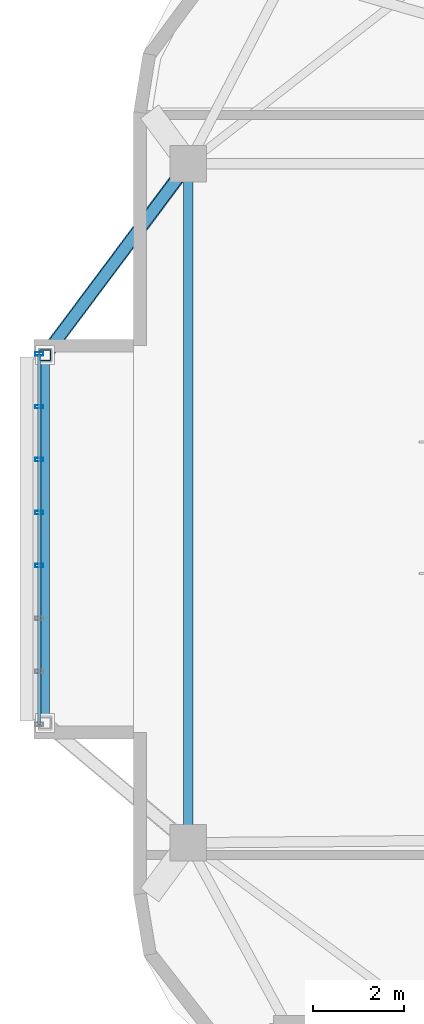
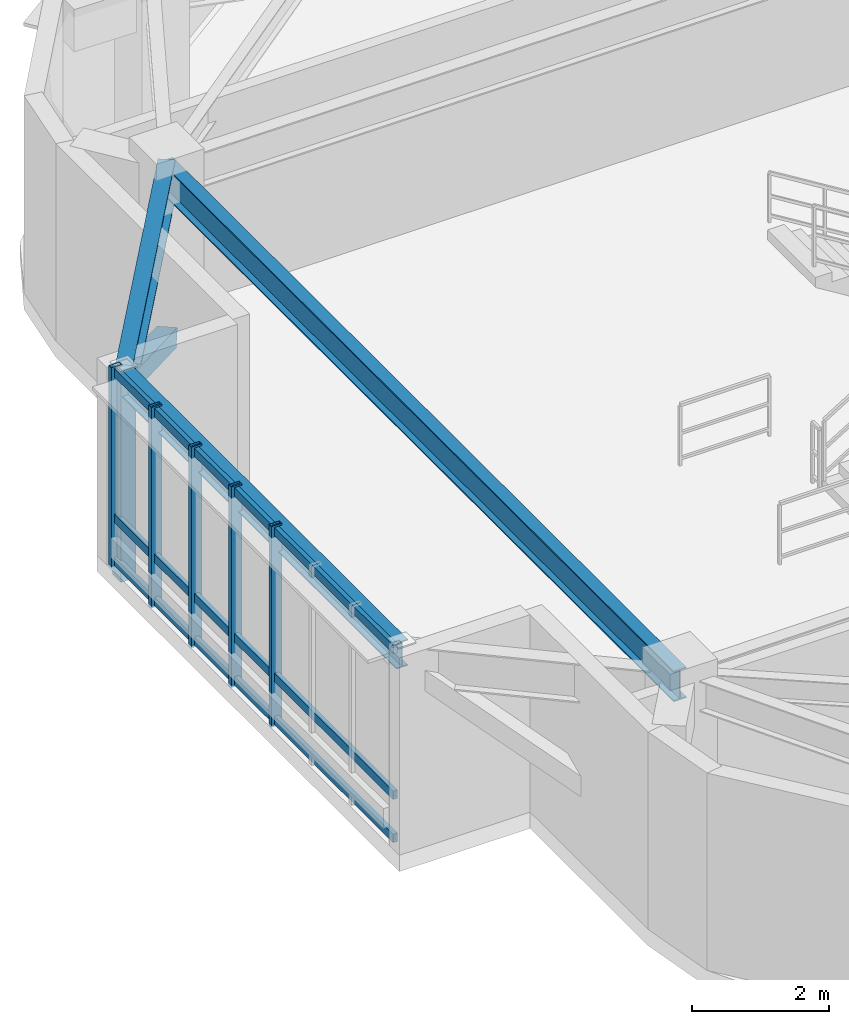
# One storey, part 4 of 18: 10 members, 3 beams, 1 element without a shape of its own.
"""IFC4 building model written with IfcOpenShell, lengths in metres."""

from ifc_helpers import new_model, si_unit, direction, frame, origin, origin_2d, place, context, subcontext, project, spatial, hollow_rectangle, i_section, extrude, material, material_profile, profile_set, type_object, element, aggregate, save


model = new_model("IFC4")

# Units and contexts
model_context = context("Model", 3, precision=1e-05, world=origin(), true_north=direction((0.0, 1.0)))
body_context = subcontext(model_context, "Body", "Model", "MODEL_VIEW")
ifc_project = project(units=[si_unit("LENGTHUNIT", "METRE"), si_unit("AREAUNIT", "SQUARE_METRE"), si_unit("VOLUMEUNIT", "CUBIC_METRE"), si_unit("PLANEANGLEUNIT", "RADIAN"), si_unit("MASSUNIT", "GRAM", prefix="KILO")], contexts=[model_context])

# Site, building, storey
site_placement = place(None, origin())
site = spatial("IfcSite", under=ifc_project, at=site_placement, CompositionType="ELEMENT")
building_placement = place(site_placement, origin())
building = spatial("IfcBuilding", under=site, at=building_placement, Name="Zulverin Broadcast Headquarters", CompositionType="ELEMENT")
storey_placement = place(building_placement, frame((0.0, 0.0, 225.0)))
storey = spatial("IfcBuildingStorey", under=building, at=storey_placement, Name="L57", CompositionType="ELEMENT", Elevation=225.0)

# Beams
ifc_material_1 = material(Name="Structural steel S355JR", Category="steel")
ifc_material_profile_1 = material_profile(ifc_material_1, i_section(OverallWidth=0.19287109375, OverallDepth=0.46728515625, WebThickness=0.011474609375, FlangeThickness=0.01953125, at=origin_2d()), Name="Structural steel S355JR", Category="steel")
ifc_profile_set_1 = profile_set([ifc_material_profile_1], Name="Structural steel S355JR")
beam_type_1 = type_object("IfcBeamType", Name="BM-UB-457", PredefinedType="JOIST", material=ifc_profile_set_1)
beam_1_placement = place(storey_placement, frame((8.14990234375, 19.9599609375, 3.2763671875), z_axis=(0.0, 1.0, 0.0), x_axis=(-1.0, 0.0, 0.0)))
element("IfcBeam", 1, at=beam_1_placement, inside=storey, type_object=beam_type_1, Name="L57 Studio Box Edge Beam SBOX_SKY2_W", PredefinedType="JOIST", context=body_context, shape_type="SweptSolid", body=[
    extrude(i_section(OverallWidth=0.19287109375, OverallDepth=0.46728515625, WebThickness=0.011474609375, FlangeThickness=0.01953125, at=origin_2d()), origin(), (0.0, 0.0, 1.0), 8.10009765625),
])
ifc_material_profile_2 = material_profile(ifc_material_1, i_section(OverallWidth=0.2119140625, OverallDepth=0.54443359375, WebThickness=0.0126953125, FlangeThickness=0.021240234375, at=origin_2d()), Name="Structural steel S355JR", Category="steel")
ifc_profile_set_2 = profile_set([ifc_material_profile_2], Name="Structural steel S355JR")
beam_type_2 = type_object("IfcBeamType", Name="BM-UB-533", PredefinedType="SPANDREL", material=ifc_profile_set_2)
beam_2_placement = place(storey_placement, frame((11.300048828125, 32.275390625, 3.23779296875), z_axis=(0.0, -1.0, 0.0), x_axis=(1.0, 0.0, 0.0)))
element("IfcBeam", 2, at=beam_2_placement, inside=storey, type_object=beam_type_2, Name="L57 Perimeter Spandrel Beam SP-13", PredefinedType="SPANDREL", context=body_context, shape_type="SweptSolid", body=[
    extrude(i_section(OverallWidth=0.2119140625, OverallDepth=0.54443359375, WebThickness=0.0126953125, FlangeThickness=0.021240234375, at=origin_2d()), origin(), (0.0, 0.0, 1.0), 14.956787109375),
])
ifc_material_profile_3 = material_profile(ifc_material_1, i_section(OverallWidth=0.255859375, OverallDepth=0.69287109375, WebThickness=0.014404296875, FlangeThickness=0.023681640625, at=origin_2d()), Name="Structural steel S355JR", Category="steel")
ifc_profile_set_3 = profile_set([ifc_material_profile_3], Name="Structural steel S355JR")
beam_type_3 = type_object("IfcBeamType", Name="BM-UB-686", PredefinedType="BEAM", material=ifc_profile_set_3)
beam_3_placement = place(storey_placement, frame((11.300048828125, 32.275390625, 3.16357421875), z_axis=(-0.598618428729, -0.801034316859, 0.0), x_axis=(0.801034316859, -0.598618428729, 0.0)))
element("IfcBeam", 3, at=beam_3_placement, inside=storey, type_object=beam_type_3, Name="L57 Studio Box Cantilever Girder SBOX_SKY2_W-2", PredefinedType="BEAM", context=body_context, shape_type="SweptSolid", body=[
    extrude(i_section(OverallWidth=0.255859375, OverallDepth=0.69287109375, WebThickness=0.014404296875, FlangeThickness=0.023681640625, at=origin_2d()), origin(), (0.0, 0.0, 1.0), 5.262451171875),
])

# Curtain wall, members
ifc_material_2 = material(Name="Acoustic triple-glazed studio box curtain wall", Category="aluminium")
curtain_wall_type = type_object("IfcCurtainWallType", Name="CW-SBOX", PredefinedType="USERDEFINED", material=ifc_material_2)
curtain_wall_placement = place(storey_placement, origin())
curtain_wall = element("IfcCurtainWall", 4, at=curtain_wall_placement, inside=storey, type_object=curtain_wall_type, Name="L57 Unitised Curtain Wall CW-L57-SBOX_SKY2_W-F", ObjectType="UNITISED CURTAIN WALL", PredefinedType="USERDEFINED")
ifc_material_3 = material(Name="Anodized pale-metal aluminium alloy 6063-T6", Category="aluminium")
ifc_material_profile_4 = material_profile(ifc_material_3, hollow_rectangle(XDim=0.074951171875, YDim=0.179931640625, WallThickness=0.0048828125, at=origin_2d()), Name="Anodized pale-metal aluminium alloy 6063-T6", Category="aluminium")
ifc_profile_set_4 = profile_set([ifc_material_profile_4], Name="Anodized pale-metal aluminium alloy 6063-T6")
member_type_1 = type_object("IfcMemberType", Name="CW-MUL-180", PredefinedType="MULLION", material=ifc_profile_set_4)
member_1_placement = place(storey_placement, frame((8.02001953125, 28.090087890625, -0.030029296875), z_axis=(0.0, 0.0, 1.0), x_axis=(0.0, -1.0, 0.0)))
member_1 = element("IfcMember", 5, at=member_1_placement, type_object=member_type_1, Name="CW-L57-SBOX_SKY2_W-F Mullion 00", PredefinedType="MULLION", context=body_context, shape_type="SweptSolid", body=[
    extrude(hollow_rectangle(XDim=0.074951171875, YDim=0.179931640625, WallThickness=0.0048828125, at=origin_2d()), origin(), (0.0, 0.0, 1.0), 3.570068359375),
])
member_2_placement = place(storey_placement, frame((8.02001953125, 26.92431640625, -0.030029296875), z_axis=(0.0, 0.0, 1.0), x_axis=(0.0, -1.0, 0.0)))
member_2 = element("IfcMember", 6, at=member_2_placement, type_object=member_type_1, Name="CW-L57-SBOX_SKY2_W-F Mullion 01", PredefinedType="MULLION", context=body_context, shape_type="SweptSolid", body=[
    extrude(hollow_rectangle(XDim=0.074951171875, YDim=0.179931640625, WallThickness=0.0048828125, at=origin_2d()), origin(), (0.0, 0.0, 1.0), 3.570068359375),
])
member_3_placement = place(storey_placement, frame((8.02001953125, 25.758544921875, -0.030029296875), z_axis=(0.0, 0.0, 1.0), x_axis=(0.0, -1.0, 0.0)))
member_3 = element("IfcMember", 7, at=member_3_placement, type_object=member_type_1, Name="CW-L57-SBOX_SKY2_W-F Mullion 02", PredefinedType="MULLION", context=body_context, shape_type="SweptSolid", body=[
    extrude(hollow_rectangle(XDim=0.074951171875, YDim=0.179931640625, WallThickness=0.0048828125, at=origin_2d()), origin(), (0.0, 0.0, 1.0), 3.570068359375),
])
member_4_placement = place(storey_placement, frame((8.02001953125, 24.593017578125, -0.030029296875), z_axis=(0.0, 0.0, 1.0), x_axis=(0.0, -1.0, 0.0)))
member_4 = element("IfcMember", 8, at=member_4_placement, type_object=member_type_1, Name="CW-L57-SBOX_SKY2_W-F Mullion 03", PredefinedType="MULLION", context=body_context, shape_type="SweptSolid", body=[
    extrude(hollow_rectangle(XDim=0.074951171875, YDim=0.179931640625, WallThickness=0.0048828125, at=origin_2d()), origin(), (0.0, 0.0, 1.0), 3.570068359375),
])
member_5_placement = place(storey_placement, frame((8.02001953125, 23.427001953125, -0.030029296875), z_axis=(0.0, 0.0, 1.0), x_axis=(0.0, -1.0, 0.0)))
member_5 = element("IfcMember", 9, at=member_5_placement, type_object=member_type_1, Name="CW-L57-SBOX_SKY2_W-F Mullion 04", PredefinedType="MULLION", context=body_context, shape_type="SweptSolid", body=[
    extrude(hollow_rectangle(XDim=0.074951171875, YDim=0.179931640625, WallThickness=0.0048828125, at=origin_2d()), origin(), (0.0, 0.0, 1.0), 3.570068359375),
])
ifc_material_profile_5 = material_profile(ifc_material_3, hollow_rectangle(XDim=0.074951171875, YDim=0.14990234375, WallThickness=0.0048828125, at=origin_2d()), Name="Anodized pale-metal aluminium alloy 6063-T6", Category="aluminium")
ifc_profile_set_5 = profile_set([ifc_material_profile_5], Name="Anodized pale-metal aluminium alloy 6063-T6")
member_type_2 = type_object("IfcMemberType", Name="CW-TRN-150", PredefinedType="USERDEFINED", material=ifc_profile_set_5)
member_6_placement = place(storey_placement, frame((8.02001953125, 28.090087890625, 0.074951171875), z_axis=(0.0, -1.0, 0.0), x_axis=(1.0, 0.0, 0.0)))
member_6 = element("IfcMember", 10, at=member_6_placement, type_object=member_type_2, Name="CW-L57-SBOX_SKY2_W-F Transom 0", ObjectType="TRANSOM", PredefinedType="USERDEFINED", context=body_context, shape_type="SweptSolid", body=[
    extrude(hollow_rectangle(XDim=0.074951171875, YDim=0.14990234375, WallThickness=0.0048828125, at=origin_2d()), origin(), (0.0, 0.0, 1.0), 8.16015625),
])
member_7_placement = place(storey_placement, frame((8.02001953125, 28.090087890625, 0.84228515625), z_axis=(0.0, -1.0, 0.0), x_axis=(1.0, 0.0, 0.0)))
member_7 = element("IfcMember", 11, at=member_7_placement, type_object=member_type_2, Name="CW-L57-SBOX_SKY2_W-F Transom 1", ObjectType="TRANSOM", PredefinedType="USERDEFINED", context=body_context, shape_type="SweptSolid", body=[
    extrude(hollow_rectangle(XDim=0.074951171875, YDim=0.14990234375, WallThickness=0.0048828125, at=origin_2d()), origin(), (0.0, 0.0, 1.0), 8.16015625),
])
member_8_placement = place(storey_placement, frame((8.02001953125, 28.090087890625, 3.43505859375), z_axis=(0.0, -1.0, 0.0), x_axis=(1.0, 0.0, 0.0)))
member_8 = element("IfcMember", 12, at=member_8_placement, type_object=member_type_2, Name="CW-L57-SBOX_SKY2_W-F Transom 2", ObjectType="TRANSOM", PredefinedType="USERDEFINED", context=body_context, shape_type="SweptSolid", body=[
    extrude(hollow_rectangle(XDim=0.074951171875, YDim=0.14990234375, WallThickness=0.0048828125, at=origin_2d()), origin(), (0.0, 0.0, 1.0), 8.16015625),
])
aggregate(curtain_wall, [member_1, member_2, member_3, member_4, member_5, member_6, member_7, member_8])

# Members
ifc_material_profile_6 = material_profile(ifc_material_1, hollow_rectangle(XDim=0.300048828125, YDim=0.300048828125, WallThickness=0.01611328125, at=origin_2d()), Name="Structural steel S355JR", Category="steel")
ifc_profile_set_6 = profile_set([ifc_material_profile_6], Name="Structural steel S355JR")
member_type_3 = type_object("IfcMemberType", Name="MBR-BLT-DIAG1", PredefinedType="BRACE", material=ifc_profile_set_6)
member_9_placement = place(storey_placement, frame((11.300048828125, 32.275390625, 0.35009765625), z_axis=(-0.525965675663, -0.703814876851, 0.477498405388), x_axis=(0.801034316859, -0.598618428729, 0.0)))
element("IfcMember", 13, at=member_9_placement, inside=storey, type_object=member_type_3, Name="L57 Studio Box Raking Knee Brace SBOX_SKY2_W-2", PredefinedType="BRACE", context=body_context, shape_type="SweptSolid", body=[
    extrude(hollow_rectangle(XDim=0.300048828125, YDim=0.300048828125, WallThickness=0.01611328125, at=origin_2d()), origin(), (0.0, 0.0, 1.0), 5.9892578125),
])
ifc_material_profile_7 = material_profile(ifc_material_1, hollow_rectangle(XDim=0.25, YDim=0.25, WallThickness=0.01611328125, at=origin_2d()), Name="Structural steel S355JR", Category="steel")
ifc_profile_set_7 = profile_set([ifc_material_profile_7], Name="Structural steel S355JR")
member_type_4 = type_object("IfcMemberType", Name="MBR-BLT-POST", PredefinedType="POST", material=ifc_profile_set_7)
member_10_placement = place(storey_placement, frame((8.14990234375, 28.06005859375, -0.239990234375), z_axis=(0.0, 0.0, 1.0), x_axis=(1.0, 0.0, 0.0)))
element("IfcMember", 14, at=member_10_placement, inside=storey, type_object=member_type_4, Name="L57 Shifted Studio Box Frame Post SBOX_SKY2_W-2", PredefinedType="POST", context=body_context, shape_type="SweptSolid", body=[
    extrude(hollow_rectangle(XDim=0.25, YDim=0.25, WallThickness=0.01611328125, at=origin_2d()), origin(), (0.0, 0.0, 1.0), 3.75),
])

save(model, "model.ifc")
